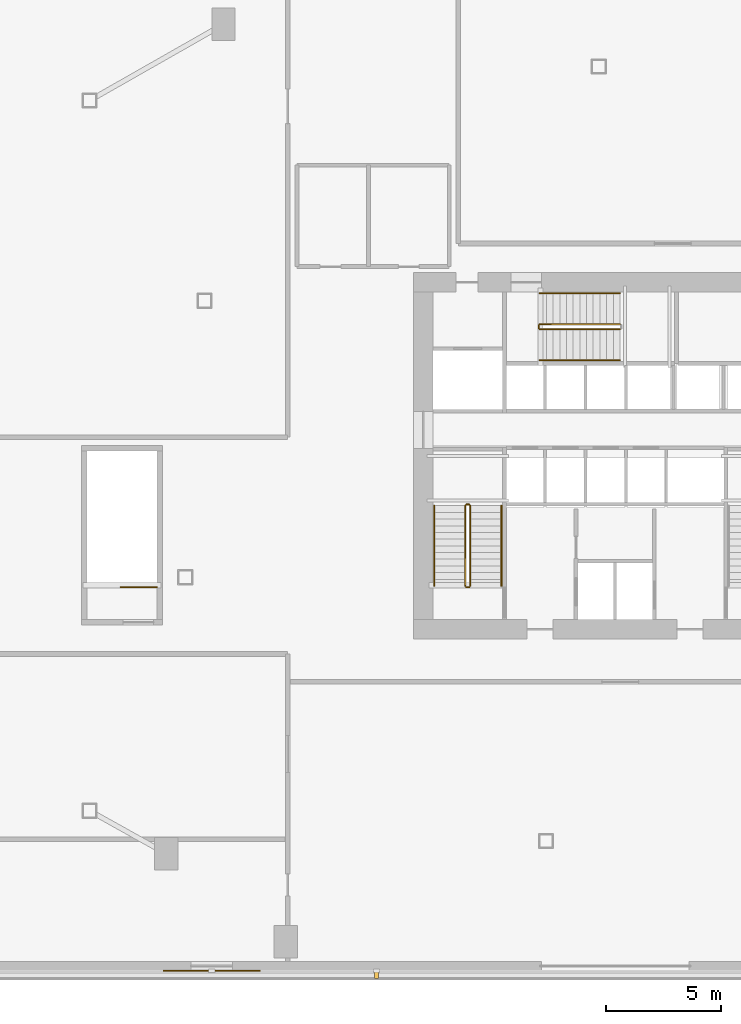
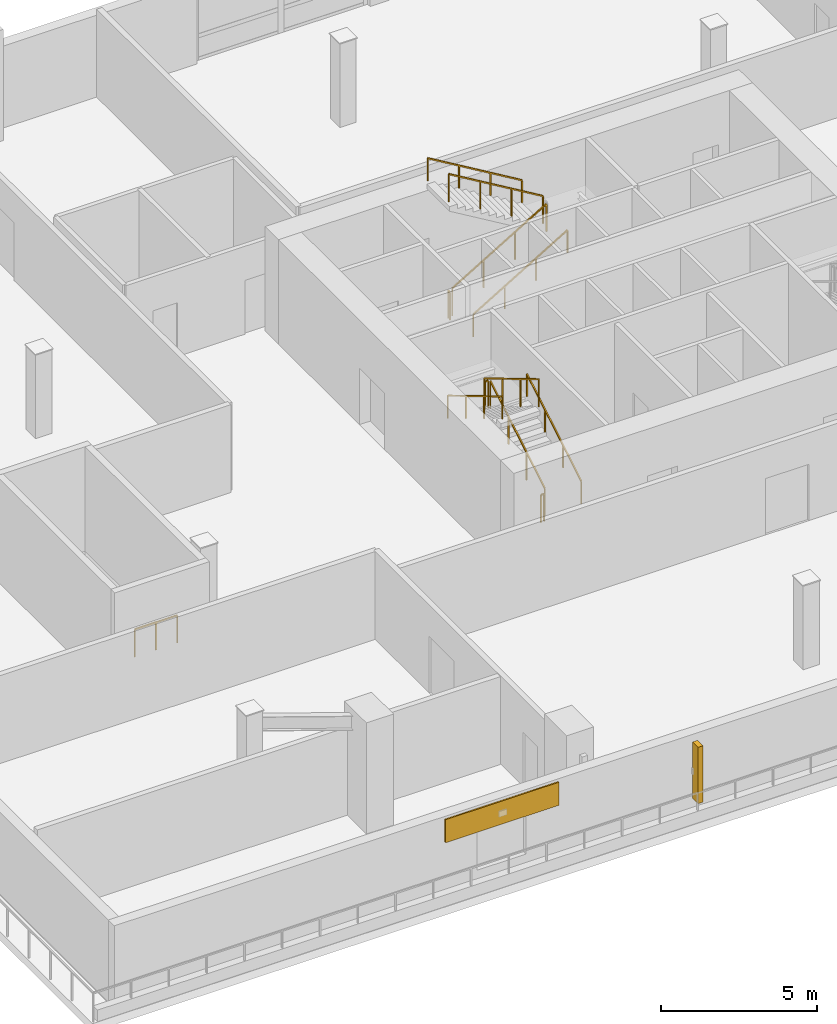
# One storey, part 12 of 16: 12 railings, 1 covering, 1 shading device.
"""IFC4 building model written with IfcOpenShell, lengths in metres."""

from ifc_helpers import new_model, si_unit, direction, frame, origin, origin_2d, place, context, subcontext, project, spatial, rectangle, extrude, source, transform, mapped, material, layer, layer_set, type_object, element, save


model = new_model("IFC4")

# Units and contexts
model_context = context("Model", 3, precision=1e-05, world=origin(), true_north=direction((0.0, 1.0)))
body_context = subcontext(model_context, "Body", "Model", "MODEL_VIEW")
ifc_project = project(units=[si_unit("LENGTHUNIT", "METRE"), si_unit("AREAUNIT", "SQUARE_METRE"), si_unit("VOLUMEUNIT", "CUBIC_METRE"), si_unit("PLANEANGLEUNIT", "RADIAN"), si_unit("MASSUNIT", "GRAM", prefix="KILO")], contexts=[model_context])

# Site, building, storey
site_placement = place(None, origin())
site = spatial("IfcSite", under=ifc_project, at=site_placement, CompositionType="ELEMENT")
building_placement = place(site_placement, origin())
building = spatial("IfcBuilding", under=site, at=building_placement, Name="Olszyna Solenne Hotel", CompositionType="ELEMENT")
storey_placement = place(building_placement, frame((0.0, 0.0, 20.10009765625)))
storey = spatial("IfcBuildingStorey", under=building, at=storey_placement, Name="L04", CompositionType="ELEMENT", Elevation=20.10009765625)

# Railings
ifc_material_1 = material(Name="Anodised bronze aluminium", Category="aluminium")
railing_type_1 = type_object("IfcRailingType", Name="GR-110", PredefinedType="BALUSTRADE", material=ifc_material_1)
railing_1_placement = place(storey_placement, frame((31.719970703125, 20.949951171875, 0.173095703125)))
element("IfcRailing", 1, at=railing_1_placement, inside=storey, type_object=railing_type_1, Name="L04 ST1 stair guard 1", PredefinedType="BALUSTRADE", context=body_context, shape_type="SweptSolid", body=[
    extrude(rectangle(XDim=0.048095703125, YDim=0.048095703125, at=origin_2d()), frame((0.0, 0.0, 1.076171875), z_axis=(0.0, 0.858697190188, 0.512483302717), x_axis=(-1.0, 0.0, 0.0)), (0.0, 0.0, 1.0), 4.052734375),
    extrude(rectangle(XDim=0.0419921875, YDim=0.0419921875, at=origin_2d()), origin(), (0.0, 0.0, 1.0), 1.052001953125),
    extrude(rectangle(XDim=0.0419921875, YDim=0.0419921875, at=origin_2d()), frame((0.0, 1.159912109375, 0.6923828125)), (0.0, 0.0, 1.0), 1.052001953125),
    extrude(rectangle(XDim=0.0419921875, YDim=0.0419921875, at=origin_2d()), frame((0.0, 2.320068359375, 1.384521484375)), (0.0, 0.0, 1.0), 1.052001953125),
    extrude(rectangle(XDim=0.0419921875, YDim=0.0419921875, at=origin_2d()), frame((0.0, 3.47998046875, 2.076904296875)), (0.0, 0.0, 1.0), 1.052001953125),
])
railing_2_placement = place(storey_placement, frame((31.669921875, 24.47998046875, 2.25)))
element("IfcRailing", 2, at=railing_2_placement, inside=storey, type_object=railing_type_1, Name="L04 ST1 stair guard 2", PredefinedType="BALUSTRADE", context=body_context, shape_type="SweptSolid", body=[
    extrude(rectangle(XDim=0.048095703125, YDim=0.048095703125, at=origin_2d()), frame((0.0, 0.0, 1.076171875), z_axis=(-1.0, 0.0, 0.0), x_axis=(0.0, -1.0, 0.0)), (0.0, 0.0, 1.0), 0.119873046875),
    extrude(rectangle(XDim=0.0419921875, YDim=0.0419921875, at=origin_2d()), origin(), (0.0, 0.0, 1.0), 1.052001953125),
    extrude(rectangle(XDim=0.0419921875, YDim=0.0419921875, at=origin_2d()), frame((-0.119873046875, 0.0, 0.0)), (0.0, 0.0, 1.0), 1.052001953125),
])
railing_3_placement = place(storey_placement, frame((31.5, 24.429931640625, 2.423095703125)))
element("IfcRailing", 3, at=railing_3_placement, inside=storey, type_object=railing_type_1, Name="L04 ST1 stair guard 3", PredefinedType="BALUSTRADE", context=body_context, shape_type="SweptSolid", body=[
    extrude(rectangle(XDim=0.048095703125, YDim=0.048095703125, at=origin_2d()), frame((0.0, 0.0, 1.076171875), z_axis=(0.0, -0.858697190188, 0.512483302717), x_axis=(1.0, 0.0, 0.0)), (0.0, 0.0, 1.0), 4.052734375),
    extrude(rectangle(XDim=0.0419921875, YDim=0.0419921875, at=origin_2d()), origin(), (0.0, 0.0, 1.0), 1.052001953125),
    extrude(rectangle(XDim=0.0419921875, YDim=0.0419921875, at=origin_2d()), frame((0.0, -1.159912109375, 0.6923828125)), (0.0, 0.0, 1.0), 1.052001953125),
    extrude(rectangle(XDim=0.0419921875, YDim=0.0419921875, at=origin_2d()), frame((0.0, -2.320068359375, 1.384521484375)), (0.0, 0.0, 1.0), 1.052001953125),
    extrude(rectangle(XDim=0.0419921875, YDim=0.0419921875, at=origin_2d()), frame((0.0, -3.47998046875, 2.076904296875)), (0.0, 0.0, 1.0), 1.052001953125),
])
railing_4_placement = place(storey_placement, frame((31.669921875, 20.89990234375, 0.0)))
element("IfcRailing", 4, at=railing_4_placement, inside=storey, type_object=railing_type_1, Name="L04 ST1 stair guard 4", PredefinedType="BALUSTRADE", context=body_context, shape_type="SweptSolid", body=[
    extrude(rectangle(XDim=0.048095703125, YDim=0.048095703125, at=origin_2d()), frame((0.0, 0.0, 1.076171875), z_axis=(-1.0, 0.0, 0.0), x_axis=(0.0, -1.0, 0.0)), (0.0, 0.0, 1.0), 0.119873046875),
    extrude(rectangle(XDim=0.0419921875, YDim=0.0419921875, at=origin_2d()), origin(), (0.0, 0.0, 1.0), 1.052001953125),
    extrude(rectangle(XDim=0.0419921875, YDim=0.0419921875, at=origin_2d()), frame((-0.119873046875, 0.0, 0.0)), (0.0, 0.0, 1.0), 1.052001953125),
])
railing_5_placement = place(storey_placement, frame((34.72998046875, 32.080078125, 0.173095703125)))
element("IfcRailing", 5, at=railing_5_placement, inside=storey, type_object=railing_type_1, Name="L04 ST3 stair guard 1", PredefinedType="BALUSTRADE", context=body_context, shape_type="SweptSolid", body=[
    extrude(rectangle(XDim=0.048095703125, YDim=0.048095703125, at=origin_2d()), frame((0.0, 0.0, 1.076171875), z_axis=(0.858697190188, 0.0, 0.512483302717), x_axis=(0.0, 1.0, 0.0)), (0.0, 0.0, 1.0), 4.052734375),
    extrude(rectangle(XDim=0.0419921875, YDim=0.0419921875, at=origin_2d()), origin(), (0.0, 0.0, 1.0), 1.052001953125),
    extrude(rectangle(XDim=0.0419921875, YDim=0.0419921875, at=origin_2d()), frame((1.159912109375, 0.0, 0.6923828125)), (0.0, 0.0, 1.0), 1.052001953125),
    extrude(rectangle(XDim=0.0419921875, YDim=0.0419921875, at=origin_2d()), frame((2.320068359375, 0.0, 1.384521484375)), (0.0, 0.0, 1.0), 1.052001953125),
    extrude(rectangle(XDim=0.0419921875, YDim=0.0419921875, at=origin_2d()), frame((3.47998046875, 0.0, 2.076904296875)), (0.0, 0.0, 1.0), 1.052001953125),
])
railing_6_placement = place(storey_placement, frame((38.2099609375, 32.300048828125, 2.423095703125)))
element("IfcRailing", 6, at=railing_6_placement, inside=storey, type_object=railing_type_1, Name="L04 ST3 stair guard 3", PredefinedType="BALUSTRADE", context=body_context, shape_type="SweptSolid", body=[
    extrude(rectangle(XDim=0.048095703125, YDim=0.048095703125, at=origin_2d()), frame((0.0, 0.0, 1.076171875), z_axis=(-0.858697190188, 0.0, 0.512483302717), x_axis=(0.0, -1.0, 0.0)), (0.0, 0.0, 1.0), 4.052734375),
    extrude(rectangle(XDim=0.0419921875, YDim=0.0419921875, at=origin_2d()), origin(), (0.0, 0.0, 1.0), 1.052001953125),
    extrude(rectangle(XDim=0.0419921875, YDim=0.0419921875, at=origin_2d()), frame((-1.159912109375, 0.0, 0.6923828125)), (0.0, 0.0, 1.0), 1.052001953125),
    extrude(rectangle(XDim=0.0419921875, YDim=0.0419921875, at=origin_2d()), frame((-2.320068359375, 0.0, 1.384521484375)), (0.0, 0.0, 1.0), 1.052001953125),
    extrude(rectangle(XDim=0.0419921875, YDim=0.0419921875, at=origin_2d()), frame((-3.47998046875, 0.0, 2.076904296875)), (0.0, 0.0, 1.0), 1.052001953125),
])
railing_7_placement = place(storey_placement, frame((34.679931640625, 32.1298828125, 0.0)))
element("IfcRailing", 7, at=railing_7_placement, inside=storey, type_object=railing_type_1, Name="L04 ST3 stair guard 4", PredefinedType="BALUSTRADE", context=body_context, shape_type="SweptSolid", body=[
    extrude(rectangle(XDim=0.048095703125, YDim=0.048095703125, at=origin_2d()), frame((0.0, 0.0, 1.076171875), z_axis=(0.0, 1.0, 0.0), x_axis=(-1.0, 0.0, 0.0)), (0.0, 0.0, 1.0), 0.1201171875),
    extrude(rectangle(XDim=0.0419921875, YDim=0.0419921875, at=origin_2d()), origin(), (0.0, 0.0, 1.0), 1.052001953125),
    extrude(rectangle(XDim=0.0419921875, YDim=0.0419921875, at=origin_2d()), frame((0.0, 0.1201171875, 0.0)), (0.0, 0.0, 1.0), 1.052001953125),
])
railing_8_placement = place(storey_placement, frame((18.1201171875, 20.89990234375, 0.0)))
element("IfcRailing", 8, at=railing_8_placement, inside=storey, type_object=railing_type_1, Name="L04 ST4 top well guard 1", PredefinedType="BALUSTRADE", context=body_context, shape_type="SweptSolid", body=[
    extrude(rectangle(XDim=0.048095703125, YDim=0.048095703125, at=origin_2d()), frame((0.0, 0.0, 1.076171875), z_axis=(-1.0, 0.0, 0.0), x_axis=(0.0, -1.0, 0.0)), (0.0, 0.0, 1.0), 1.570068359375),
    extrude(rectangle(XDim=0.0419921875, YDim=0.0419921875, at=origin_2d()), origin(), (0.0, 0.0, 1.0), 1.052001953125),
    extrude(rectangle(XDim=0.0419921875, YDim=0.0419921875, at=origin_2d()), frame((-0.78515625, 0.0, 0.0)), (0.0, 0.0, 1.0), 1.052001953125),
    extrude(rectangle(XDim=0.0419921875, YDim=0.0419921875, at=origin_2d()), frame((-1.570068359375, 0.0, 0.0)), (0.0, 0.0, 1.0), 1.052001953125),
])
ifc_material_2 = material(Name="Steel S355J2", Category="steel")
railing_type_2 = type_object("IfcRailingType", Name="HR-090", PredefinedType="HANDRAIL", material=ifc_material_2)
railing_9_placement = place(storey_placement, frame((33.070068359375, 20.949951171875, 0.173095703125)))
element("IfcRailing", 9, at=railing_9_placement, inside=storey, type_object=railing_type_2, Name="L04 ST1 stair handrail 1", PredefinedType="HANDRAIL", context=body_context, shape_type="SweptSolid", body=[
    extrude(rectangle(XDim=0.048095703125, YDim=0.048095703125, at=origin_2d()), frame((0.0, 0.0, 0.8759765625), z_axis=(0.0, 0.858697190188, 0.512483302717), x_axis=(-1.0, 0.0, 0.0)), (0.0, 0.0, 1.0), 4.052734375),
    extrude(rectangle(XDim=0.0419921875, YDim=0.0419921875, at=origin_2d()), origin(), (0.0, 0.0, 1.0), 0.851806640625),
    extrude(rectangle(XDim=0.0419921875, YDim=0.0419921875, at=origin_2d()), frame((0.0, 1.159912109375, 0.6923828125)), (0.0, 0.0, 1.0), 0.851806640625),
    extrude(rectangle(XDim=0.0419921875, YDim=0.0419921875, at=origin_2d()), frame((0.0, 2.320068359375, 1.384521484375)), (0.0, 0.0, 1.0), 0.851806640625),
    extrude(rectangle(XDim=0.0419921875, YDim=0.0419921875, at=origin_2d()), frame((0.0, 3.47998046875, 2.076904296875)), (0.0, 0.0, 1.0), 0.851806640625),
])
railing_10_placement = place(storey_placement, frame((30.14990234375, 24.429931640625, 2.423095703125)))
element("IfcRailing", 10, at=railing_10_placement, inside=storey, type_object=railing_type_2, Name="L04 ST1 stair handrail 2", PredefinedType="HANDRAIL", context=body_context, shape_type="SweptSolid", body=[
    extrude(rectangle(XDim=0.048095703125, YDim=0.048095703125, at=origin_2d()), frame((0.0, 0.0, 0.8759765625), z_axis=(0.0, -0.858697190188, 0.512483302717), x_axis=(1.0, 0.0, 0.0)), (0.0, 0.0, 1.0), 4.052734375),
    extrude(rectangle(XDim=0.0419921875, YDim=0.0419921875, at=origin_2d()), origin(), (0.0, 0.0, 1.0), 0.851806640625),
    extrude(rectangle(XDim=0.0419921875, YDim=0.0419921875, at=origin_2d()), frame((0.0, -1.159912109375, 0.6923828125)), (0.0, 0.0, 1.0), 0.851806640625),
    extrude(rectangle(XDim=0.0419921875, YDim=0.0419921875, at=origin_2d()), frame((0.0, -2.320068359375, 1.384521484375)), (0.0, 0.0, 1.0), 0.851806640625),
    extrude(rectangle(XDim=0.0419921875, YDim=0.0419921875, at=origin_2d()), frame((0.0, -3.47998046875, 2.076904296875)), (0.0, 0.0, 1.0), 0.851806640625),
])
railing_11_placement = place(storey_placement, frame((34.72998046875, 30.72998046875, 0.173095703125)))
element("IfcRailing", 11, at=railing_11_placement, inside=storey, type_object=railing_type_2, Name="L04 ST3 stair handrail 1", PredefinedType="HANDRAIL", context=body_context, shape_type="SweptSolid", body=[
    extrude(rectangle(XDim=0.048095703125, YDim=0.048095703125, at=origin_2d()), frame((0.0, 0.0, 0.8759765625), z_axis=(0.858697190188, 0.0, 0.512483302717), x_axis=(0.0, 1.0, 0.0)), (0.0, 0.0, 1.0), 4.052734375),
    extrude(rectangle(XDim=0.0419921875, YDim=0.0419921875, at=origin_2d()), origin(), (0.0, 0.0, 1.0), 0.851806640625),
    extrude(rectangle(XDim=0.0419921875, YDim=0.0419921875, at=origin_2d()), frame((1.159912109375, 0.0, 0.6923828125)), (0.0, 0.0, 1.0), 0.851806640625),
    extrude(rectangle(XDim=0.0419921875, YDim=0.0419921875, at=origin_2d()), frame((2.320068359375, 0.0, 1.384521484375)), (0.0, 0.0, 1.0), 0.851806640625),
    extrude(rectangle(XDim=0.0419921875, YDim=0.0419921875, at=origin_2d()), frame((3.47998046875, 0.0, 2.076904296875)), (0.0, 0.0, 1.0), 0.851806640625),
])
railing_12_placement = place(storey_placement, frame((38.2099609375, 33.64990234375, 2.423095703125)))
element("IfcRailing", 12, at=railing_12_placement, inside=storey, type_object=railing_type_2, Name="L04 ST3 stair handrail 2", PredefinedType="HANDRAIL", context=body_context, shape_type="SweptSolid", body=[
    extrude(rectangle(XDim=0.048095703125, YDim=0.048095703125, at=origin_2d()), frame((0.0, 0.0, 0.8759765625), z_axis=(-0.858697190188, 0.0, 0.512483302717), x_axis=(0.0, -1.0, 0.0)), (0.0, 0.0, 1.0), 4.052734375),
    extrude(rectangle(XDim=0.0419921875, YDim=0.0419921875, at=origin_2d()), origin(), (0.0, 0.0, 1.0), 0.851806640625),
    extrude(rectangle(XDim=0.0419921875, YDim=0.0419921875, at=origin_2d()), frame((-1.159912109375, 0.0, 0.6923828125)), (0.0, 0.0, 1.0), 0.851806640625),
    extrude(rectangle(XDim=0.0419921875, YDim=0.0419921875, at=origin_2d()), frame((-2.320068359375, 0.0, 1.384521484375)), (0.0, 0.0, 1.0), 0.851806640625),
    extrude(rectangle(XDim=0.0419921875, YDim=0.0419921875, at=origin_2d()), frame((-3.47998046875, 0.0, 2.076904296875)), (0.0, 0.0, 1.0), 0.851806640625),
])

# Covering
ifc_material_3 = material(Name="Terracotta cladding", Category="masonry")
ifc_layer = layer(ifc_material_3, 0.054931640625, Name="Terracotta cladding")
ifc_layer_set = layer_set([ifc_layer], Name="Terracotta cladding")
covering_type = type_object("IfcCoveringType", Name="CD-TC1", PredefinedType="CLADDING", material=ifc_layer_set)
shared_shape_1 = source(origin(), body_context, "Body", "SweptSolid", [
    extrude(rectangle(XDim=4.199951171875, YDim=0.054931640625, at=origin_2d()), origin(), (0.0, 0.0, 1.0), 0.89990234375),
])
covering_placement = place(storey_placement, frame((20.5, 4.257568359375, 2.199951171875), z_axis=(0.0, 0.0, 1.0), x_axis=(-1.0, 0.0, 0.0)))
element("IfcCovering", 13, at=covering_placement, inside=storey, type_object=covering_type, Name="Fluted terracotta rainscreen band CD-L04-SW", PredefinedType="CLADDING", context=body_context, shape_type="MappedRepresentation", body=[
    mapped(shared_shape_1, transform((0.0, 0.0, 0.0), x_axis=(1.0, 0.0, 0.0), y_axis=(0.0, 1.0, 0.0), z_axis=(0.0, 0.0, 1.0), scale=1.0)),
])

# Shading device
shading_device_type = type_object("IfcShadingDeviceType", Name="SH-FN1", PredefinedType="USERDEFINED", material=ifc_material_3)
shared_shape_2 = source(origin(), body_context, "Body", "SweptSolid", [
    extrude(rectangle(XDim=0.179931640625, YDim=0.35009765625, at=origin_2d()), origin(), (0.0, 0.0, 1.0), 2.199951171875),
])
shading_device_placement = place(storey_placement, frame((27.64990234375, 4.110107421875, 0.69970703125), z_axis=(0.0, 0.0, 1.0), x_axis=(-1.0, 0.0, 0.0)))
element("IfcShadingDevice", 14, at=shading_device_placement, inside=storey, type_object=shading_device_type, Name="Vertical terracotta facade fin FN-L04-SW", ObjectType="FIN", PredefinedType="USERDEFINED", context=body_context, shape_type="MappedRepresentation", body=[
    mapped(shared_shape_2, transform((0.0, 0.0, 0.0), x_axis=(1.0, 0.0, 0.0), y_axis=(0.0, 1.0, 0.0), z_axis=(0.0, 0.0, 1.0), scale=1.0)),
])

save(model, "model.ifc")
